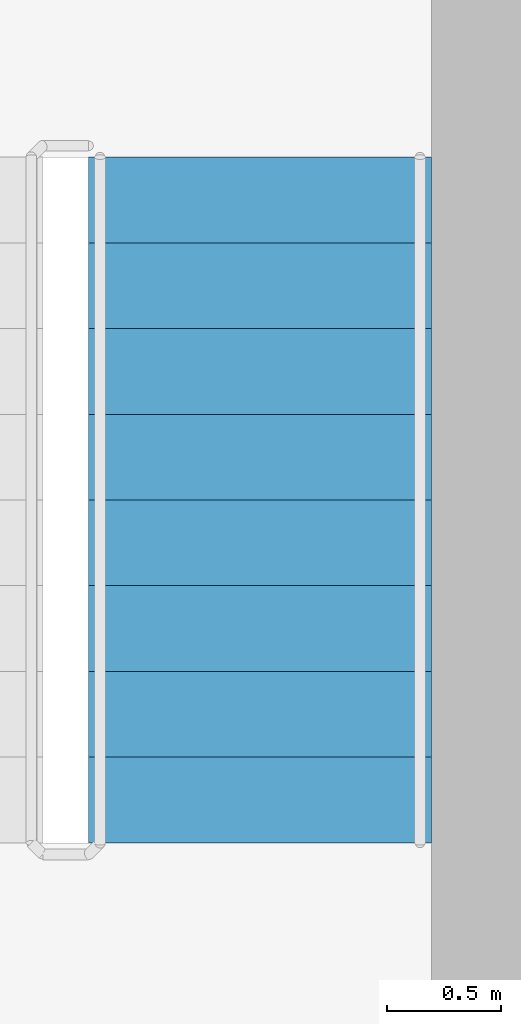
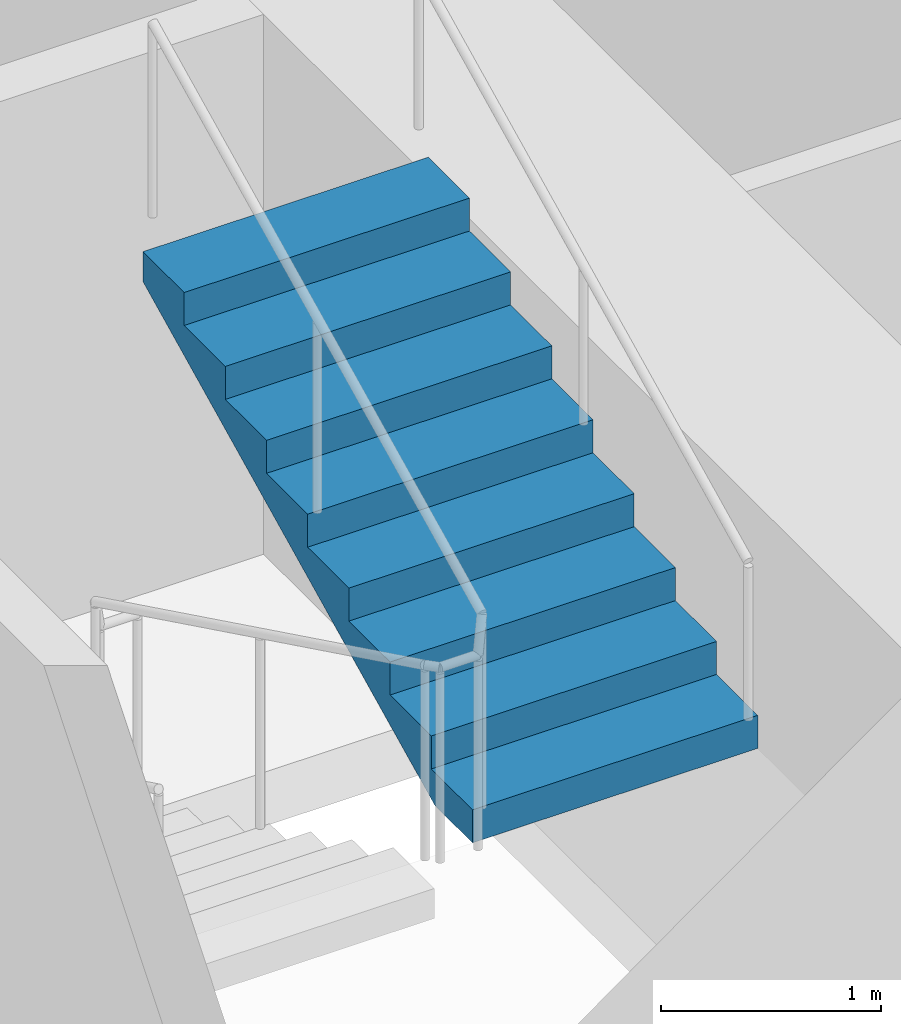
# One storey, part 14 of 16: 1 stair flight, 1 element without a shape of its own.
"""IFC4 building model written with IfcOpenShell, lengths in metres."""

from ifc_helpers import new_model, si_unit, direction, frame, origin, place, context, subcontext, project, spatial, polyline, outline, extrude, material, type_object, element, aggregate, save


model = new_model("IFC4")

# Units and contexts
model_context = context("Model", 3, precision=1e-05, world=origin(), true_north=direction((0.0, 1.0)))
body_context = subcontext(model_context, "Body", "Model", "MODEL_VIEW")
ifc_project = project(units=[si_unit("LENGTHUNIT", "METRE"), si_unit("AREAUNIT", "SQUARE_METRE"), si_unit("VOLUMEUNIT", "CUBIC_METRE"), si_unit("PLANEANGLEUNIT", "RADIAN"), si_unit("MASSUNIT", "GRAM", prefix="KILO")], contexts=[model_context])

# Site, building, storey
site_placement = place(None, origin())
site = spatial("IfcSite", under=ifc_project, at=site_placement, CompositionType="ELEMENT")
building_placement = place(site_placement, origin())
building = spatial("IfcBuilding", under=site, at=building_placement, Name="Tabaq Tower and Sports Hall", CompositionType="ELEMENT")
storey_placement = place(building_placement, frame((0.0, 0.0, 156.10009765625)))
storey = spatial("IfcBuildingStorey", under=building, at=storey_placement, Name="L36", CompositionType="ELEMENT", Elevation=156.10009765625)

# Stair, stair flight
ifc_material_1 = material(Name="Concrete C40/50", Category="concrete")
stair_type = type_object("IfcStairType", Name="Exit stair", PredefinedType="HALF_TURN_STAIR", material=ifc_material_1)
stair_placement = place(storey_placement, origin())
stair = element("IfcStair", 1, at=stair_placement, inside=storey, type_object=stair_type, Name="L36 Exit stair ST3", PredefinedType="HALF_TURN_STAIR")
ifc_material_2 = material(Name="Concrete C40/50", Category="concrete")
stair_flight_type = type_object("IfcStairFlightType", Name="Exit stair flight", PredefinedType="STRAIGHT", material=ifc_material_2)
stair_flight_placement = place(storey_placement, frame((41.25, 18.60009765625, 1.64990234375), z_axis=(0.0, 0.0, 1.0), x_axis=(0.0, 1.0, 0.0)))
stair_flight = element("IfcStairFlight", 2, at=stair_flight_placement, type_object=stair_flight_type, Name="ST3 flight 2", NumberOfRisers=9, NumberOfTreads=8, PredefinedType="STRAIGHT", RiserHeight=0.183333333, TreadLength=0.375, context=body_context, shape_type="SweptSolid", body=[
    extrude(outline(polyline([(0.0, 0.0), (0.0, 0.183349609375), (0.375, 0.183349609375), (0.375, 0.36669921875), (0.75, 0.36669921875), (0.75, 0.550048828125), (1.125, 0.550048828125), (1.125, 0.7333984375), (1.5, 0.7333984375), (1.5, 0.916748046875), (1.875, 0.916748046875), (1.875, 1.10009765625), (2.25, 1.10009765625), (2.25, 1.283447265625), (2.625, 1.283447265625), (2.625, 1.466552734375), (3.0, 1.466552734375), (3.0, 1.64990234375), (3.0, 1.2998046875), (0.34130859375, 0.0), (0.0, 0.0)])), frame((0.0, 0.75, 0.0), z_axis=(0.0, -1.0, 0.0), x_axis=(1.0, 0.0, 0.0)), (0.0, 0.0, 1.0), 1.5),
])
aggregate(stair, [stair_flight])

save(model, "model.ifc")
